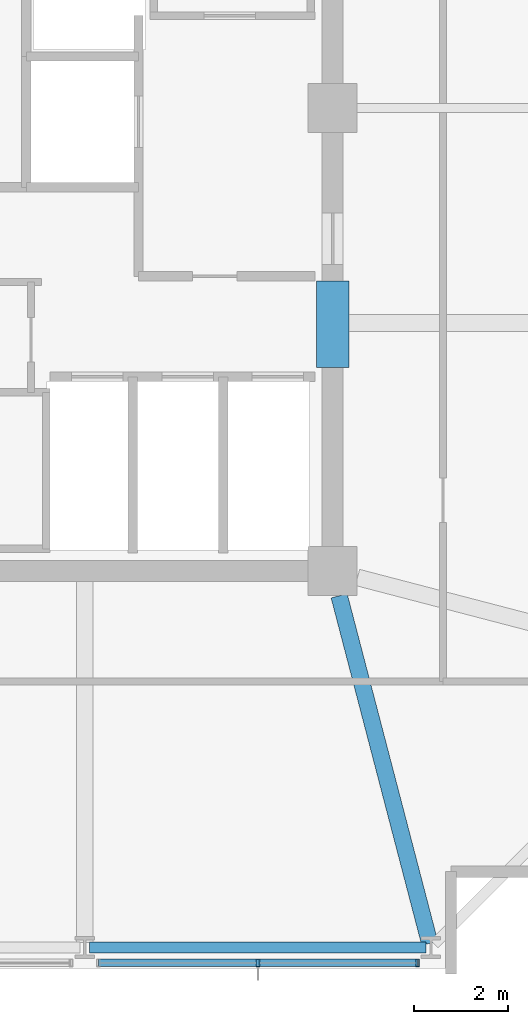
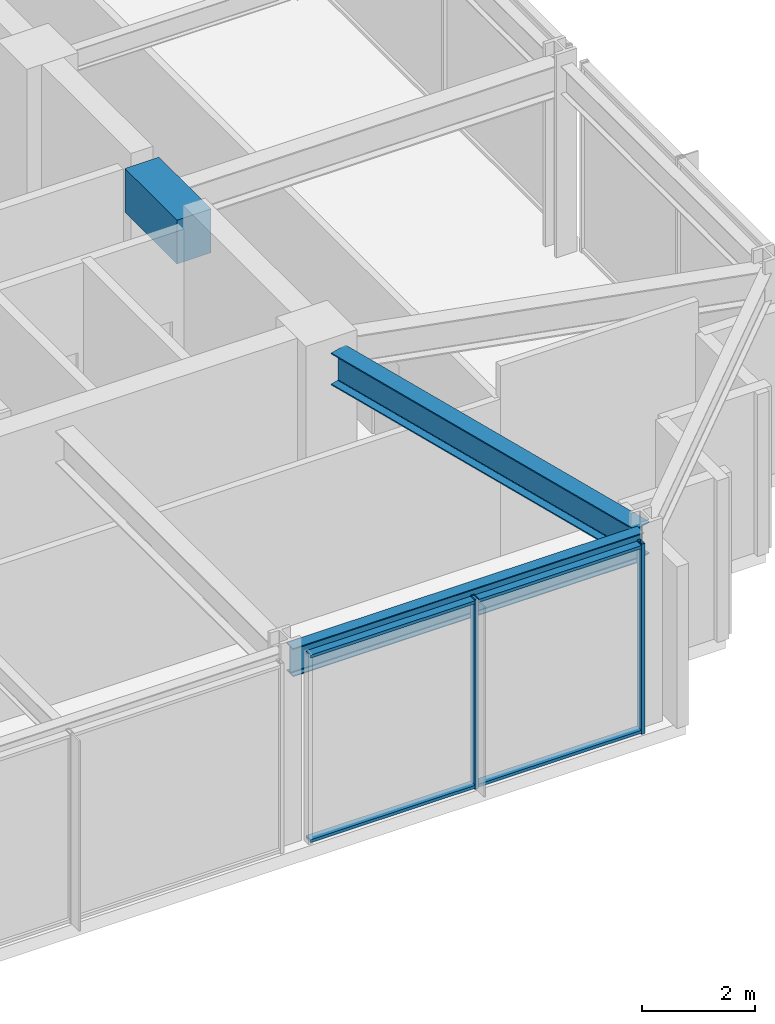
# One storey, part 7 of 26: 4 members, 3 beams, 1 element without a shape of its own.
"""IFC4 building model written with IfcOpenShell, lengths in metres."""

from ifc_helpers import new_model, si_unit, direction, frame, origin, origin_2d, place, context, subcontext, project, spatial, rectangle, hollow_rectangle, i_section, extrude, material, material_profile, profile_set, type_object, element, aggregate, save


model = new_model("IFC4")

# Units and contexts
model_context = context("Model", 3, precision=1e-05, world=origin(), true_north=direction((0.0, 1.0)))
body_context = subcontext(model_context, "Body", "Model", "MODEL_VIEW")
ifc_project = project(units=[si_unit("LENGTHUNIT", "METRE"), si_unit("AREAUNIT", "SQUARE_METRE"), si_unit("VOLUMEUNIT", "CUBIC_METRE"), si_unit("PLANEANGLEUNIT", "RADIAN"), si_unit("MASSUNIT", "GRAM", prefix="KILO")], contexts=[model_context])

# Site, building, storey
site_placement = place(None, origin())
site = spatial("IfcSite", under=ifc_project, at=site_placement, CompositionType="ELEMENT")
building_placement = place(site_placement, origin())
building = spatial("IfcBuilding", under=site, at=building_placement, Name="Kolvaren Belvedere", CompositionType="ELEMENT")
storey_placement = place(building_placement, frame((0.0, 0.0, 258.39990234375)))
storey = spatial("IfcBuildingStorey", under=building, at=storey_placement, Name="L75", CompositionType="ELEMENT", Elevation=258.39990234375)

# Beams
ifc_material_1 = material(Name="Structural steel ASTM A992 Grade 50", Category="steel")
ifc_material_profile_1 = material_profile(ifc_material_1, i_section(OverallWidth=0.35498046875, OverallDepth=0.696044921875, WebThickness=0.015380859375, FlangeThickness=0.02490234375, FilletRadius=0.02197265625, at=origin_2d()), Name="W27X146")
ifc_profile_set_1 = profile_set([ifc_material_profile_1], Name="Structural steel ASTM A992 Grade 50")
beam_type_1 = type_object("IfcBeamType", Name="BM-GIRD-W27X146", PredefinedType="BEAM", material=ifc_profile_set_1)
beam_1_placement = place(storey_placement, frame((10.038818359375, -10.43212890625, 3.772216796875), z_axis=(0.252423191796, -0.967616934661, 0.0), x_axis=(0.967616934661, 0.252423191796, 0.0)))
element("IfcBeam", 1, at=beam_1_placement, inside=storey, type_object=beam_type_1, Name="L75 Corner Core-to-Perimeter Girder CC2-S4", PredefinedType="BEAM", context=body_context, shape_type="SweptSolid", body=[
    extrude(i_section(OverallWidth=0.35498046875, OverallDepth=0.696044921875, WebThickness=0.015380859375, FlangeThickness=0.02490234375, FilletRadius=0.02197265625, at=origin_2d()), origin(), (0.0, 0.0, 1.0), 7.676513671875),
])
ifc_material_2 = material(Name="Concrete C60/75", Category="concrete")
ifc_material_profile_2 = material_profile(ifc_material_2, rectangle(XDim=0.699951171875, YDim=0.949951171875, at=origin_2d()), Name="RC 700X950")
ifc_profile_set_2 = profile_set([ifc_material_profile_2], Name="Concrete C60/75")
beam_type_2 = type_object("IfcBeamType", Name="BM-LINT-950", PredefinedType="LINTEL", material=ifc_profile_set_2)
beam_2_placement = place(storey_placement, frame((9.89990234375, -5.550048828125, 3.64501953125), z_axis=(0.0, 1.0, 0.0), x_axis=(-1.0, 0.0, 0.0)))
element("IfcBeam", 2, at=beam_2_placement, inside=storey, type_object=beam_type_2, Name="L75 East Core Coupling Lintel", PredefinedType="LINTEL", context=body_context, shape_type="SweptSolid", body=[
    extrude(rectangle(XDim=0.699951171875, YDim=0.949951171875, at=origin_2d()), origin(), (0.0, 0.0, 1.0), 1.85009765625),
])
ifc_material_3 = material(Name="Structural steel ASTM A992 Grade 50", Category="steel")
ifc_material_profile_3 = material_profile(ifc_material_3, i_section(OverallWidth=0.22900390625, OverallDepth=0.612060546875, WebThickness=0.011962890625, FlangeThickness=0.01953125, FilletRadius=0.01806640625, at=origin_2d()), Name="W24X84")
ifc_profile_set_3 = profile_set([ifc_material_profile_3], Name="Structural steel ASTM A992 Grade 50")
beam_type_3 = type_object("IfcBeamType", Name="BM-SPAN-W24X84", PredefinedType="SPANDREL", material=ifc_profile_set_3)
beam_3_placement = place(storey_placement, frame((4.70458984375, -17.949951171875, 3.814208984375), z_axis=(1.0, 0.0, 0.0), x_axis=(0.0, 1.0, 0.0)))
element("IfcBeam", 3, at=beam_3_placement, inside=storey, type_object=beam_type_3, Name="L75 Perimeter Spandrel S3-S4", PredefinedType="SPANDREL", context=body_context, shape_type="SweptSolid", body=[
    extrude(i_section(OverallWidth=0.22900390625, OverallDepth=0.612060546875, WebThickness=0.011962890625, FlangeThickness=0.01953125, FilletRadius=0.01806640625, at=origin_2d()), origin(), (0.0, 0.0, 1.0), 7.19091796875),
])

# Curtain wall, members
ifc_material_4 = material(Name="Anodised pale-metal aluminium AA 6063-T6", Category="aluminium")
curtain_wall_type = type_object("IfcCurtainWallType", Name="CW-CRN-OBS", PredefinedType="NOTDEFINED", material=ifc_material_4)
curtain_wall_placement = place(storey_placement, origin())
curtain_wall = element("IfcCurtainWall", 4, at=curtain_wall_placement, inside=storey, type_object=curtain_wall_type, Name="L75 Unitised Curtain Wall FCW-L75-S-B1", PredefinedType="NOTDEFINED")
ifc_material_5 = material(Name="Anodised pale-metal aluminium AA 6063-T6", Category="aluminium")
ifc_material_profile_4 = material_profile(ifc_material_5, hollow_rectangle(XDim=0.074951171875, YDim=0.159912109375, WallThickness=0.00439453125, at=origin_2d()), Name="ALU-MUL-160X75")
ifc_profile_set_4 = profile_set([ifc_material_profile_4], Name="Anodised pale-metal aluminium AA 6063-T6")
member_type_1 = type_object("IfcMemberType", Name="CW-MUL-160", PredefinedType="MULLION", material=ifc_profile_set_4)
member_1_placement = place(storey_placement, frame((11.7099609375, -18.280029296875, 0.0), z_axis=(0.0, 0.0, 1.0), x_axis=(1.0, 0.0, 0.0)))
member_1 = element("IfcMember", 5, at=member_1_placement, type_object=member_type_1, Name="FCW-L75-S-B1 Unitised Mullion 1", PredefinedType="MULLION", context=body_context, shape_type="SweptSolid", body=[
    extrude(hollow_rectangle(XDim=0.074951171875, YDim=0.159912109375, WallThickness=0.00439453125, at=origin_2d()), origin(), (0.0, 0.0, 1.0), 4.1201171875),
])
member_2_placement = place(storey_placement, frame((8.300048828125, -18.280029296875, 0.0), z_axis=(0.0, 0.0, 1.0), x_axis=(1.0, 0.0, 0.0)))
member_2 = element("IfcMember", 6, at=member_2_placement, type_object=member_type_1, Name="FCW-L75-S-B1 Unitised Mullion 2", PredefinedType="MULLION", context=body_context, shape_type="SweptSolid", body=[
    extrude(hollow_rectangle(XDim=0.074951171875, YDim=0.159912109375, WallThickness=0.00439453125, at=origin_2d()), origin(), (0.0, 0.0, 1.0), 4.1201171875),
])
ifc_material_6 = material(Name="Anodised pale-metal aluminium AA 6063-T6", Category="aluminium")
ifc_material_profile_5 = material_profile(ifc_material_6, hollow_rectangle(XDim=0.06494140625, YDim=0.159912109375, WallThickness=0.00390625, at=origin_2d()), Name="ALU-TRN-160X65")
ifc_profile_set_5 = profile_set([ifc_material_profile_5], Name="Anodised pale-metal aluminium AA 6063-T6")
member_type_2 = type_object("IfcMemberType", Name="CW-TRN-160", PredefinedType="USERDEFINED", material=ifc_profile_set_5)
member_3_placement = place(storey_placement, frame((11.7099609375, -18.280029296875, 0.06005859375), z_axis=(-1.0, 0.0, 0.0), x_axis=(0.0, 0.0, 1.0)))
member_3 = element("IfcMember", 7, at=member_3_placement, type_object=member_type_2, Name="FCW-L75-S-B1 Sill Transom", ObjectType="TRANSOM", PredefinedType="USERDEFINED", context=body_context, shape_type="SweptSolid", body=[
    extrude(hollow_rectangle(XDim=0.06494140625, YDim=0.159912109375, WallThickness=0.00390625, at=origin_2d()), origin(), (0.0, 0.0, 1.0), 6.820068359375),
])
member_4_placement = place(storey_placement, frame((11.7099609375, -18.280029296875, 4.06005859375), z_axis=(-1.0, 0.0, 0.0), x_axis=(0.0, 0.0, 1.0)))
member_4 = element("IfcMember", 8, at=member_4_placement, type_object=member_type_2, Name="FCW-L75-S-B1 Head Transom", ObjectType="TRANSOM", PredefinedType="USERDEFINED", context=body_context, shape_type="SweptSolid", body=[
    extrude(hollow_rectangle(XDim=0.06494140625, YDim=0.159912109375, WallThickness=0.00390625, at=origin_2d()), origin(), (0.0, 0.0, 1.0), 6.820068359375),
])
aggregate(curtain_wall, [member_1, member_2, member_3, member_4])

save(model, "model.ifc")
